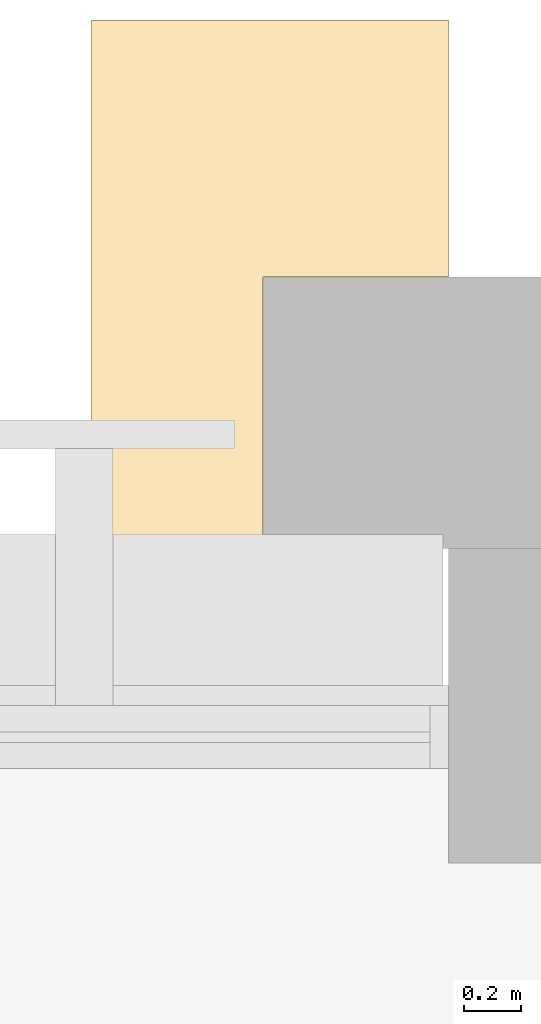
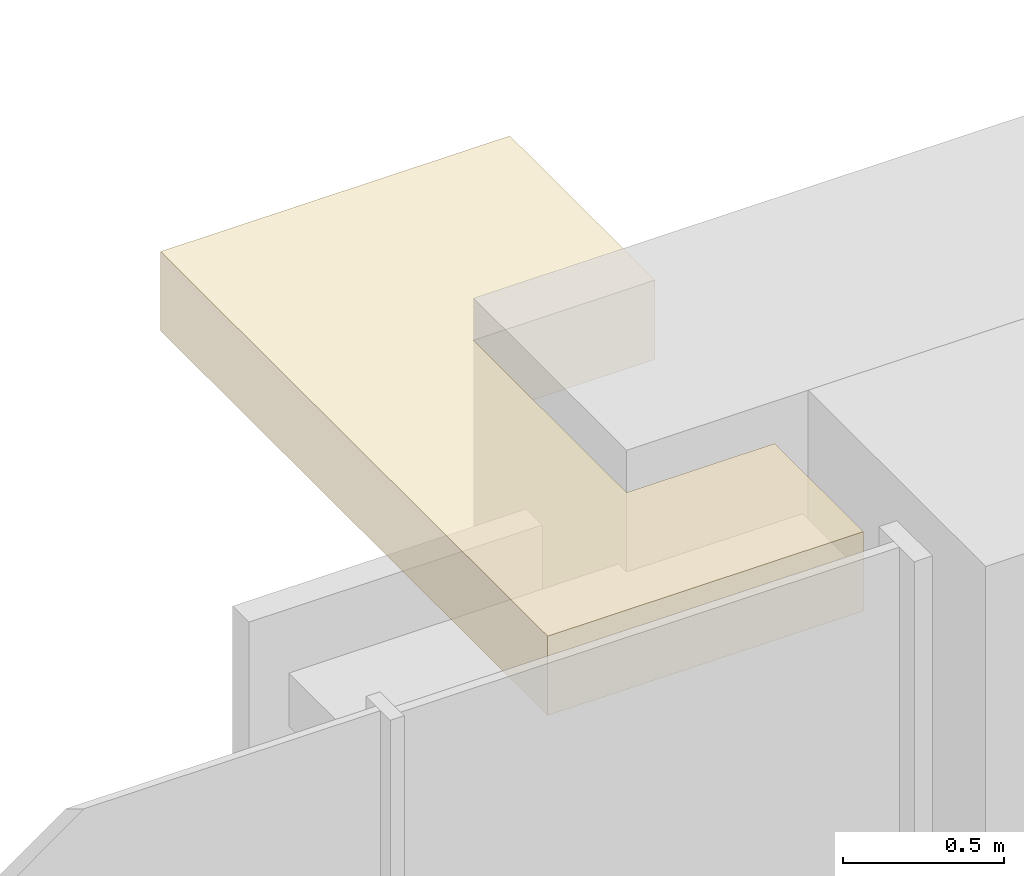
# One storey, part 14 of 14: 1 covering.
"""IFC4 building model written with IfcOpenShell, lengths in metres."""

from ifc_helpers import new_model, si_unit, direction, frame, origin, place, context, subcontext, project, spatial, polyline, outline, extrude, material, type_object, element, save


model = new_model("IFC4")

# Units and contexts
model_context = context("Model", 3, precision=1e-05, world=origin(), true_north=direction((0.0, 1.0)))
body_context = subcontext(model_context, "Body", "Model", "MODEL_VIEW")
ifc_project = project(units=[si_unit("LENGTHUNIT", "METRE"), si_unit("AREAUNIT", "SQUARE_METRE"), si_unit("VOLUMEUNIT", "CUBIC_METRE"), si_unit("PLANEANGLEUNIT", "RADIAN"), si_unit("MASSUNIT", "GRAM", prefix="KILO")], contexts=[model_context])

# Site, building, storey
site_placement = place(None, origin())
site = spatial("IfcSite", under=ifc_project, at=site_placement, CompositionType="ELEMENT")
building_placement = place(site_placement, origin())
building = spatial("IfcBuilding", under=site, at=building_placement, Name="Baori Bourse Tower", CompositionType="ELEMENT")
storey_placement = place(building_placement, frame((0.0, 0.0, 245.199951171875)))
storey = spatial("IfcBuildingStorey", under=building, at=storey_placement, Name="L54", CompositionType="ELEMENT", Elevation=245.199951171875)

# Covering
ifc_material = material(Name="Pale anodised aluminium", Category="aluminium")
covering_type = type_object("IfcCoveringType", Name="BD1 Pale metal band", PredefinedType="CLADDING", material=ifc_material)
covering_placement = place(storey_placement, frame((0.0, 0.0, 3.5400390625)))
element("IfcCovering", 1, at=covering_placement, inside=storey, type_object=covering_type, Name="Pale projecting band L54 2", PredefinedType="CLADDING", context=body_context, shape_type="SweptSolid", body=[
    extrude(outline(polyline([(36.60009765625, 48.0), (37.72998046875, 48.0), (37.72998046875, 48.550048828125), (37.199951171875, 48.550048828125), (37.199951171875, 49.5), (37.85009765625, 49.5), (37.85009765625, 50.39990234375), (36.60009765625, 50.39990234375), (36.60009765625, 48.0)])), origin(), (0.0, 0.0, 1.0), 0.300048828125),
])

save(model, "model.ifc")
